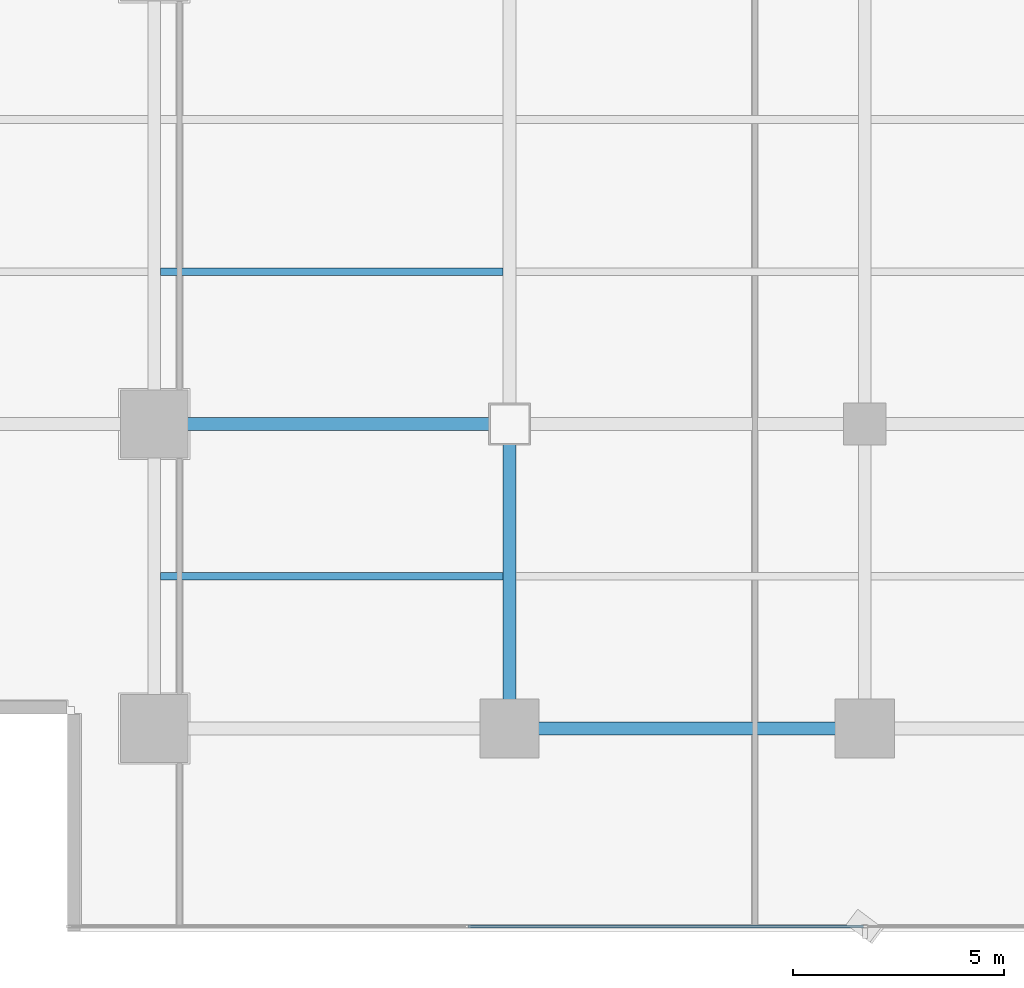
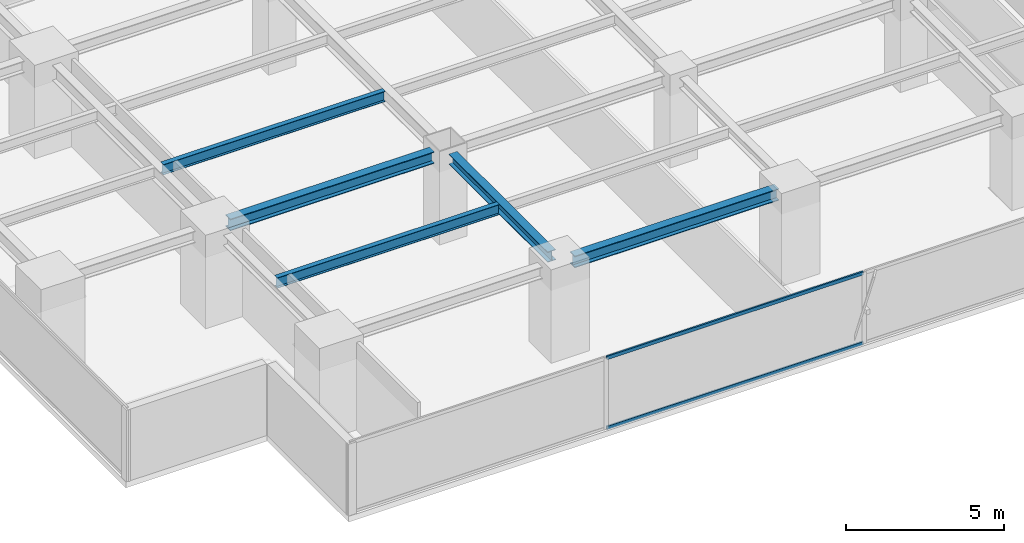
# One storey, part 4 of 27: 5 beams, 2 members, 1 element without a shape of its own.
"""IFC4 building model written with IfcOpenShell, lengths in metres."""

from ifc_helpers import new_model, si_unit, direction, frame, origin, origin_2d, place, context, subcontext, project, spatial, hollow_rectangle, i_section, extrude, source, transform, mapped, material, layer, layer_set, material_profile, profile_set, type_object, element, aggregate, save


model = new_model("IFC4")

# Units and contexts
model_context = context("Model", 3, precision=1e-05, world=origin(), true_north=direction((0.0, 1.0)))
body_context = subcontext(model_context, "Body", "Model", "MODEL_VIEW")
ifc_project = project(units=[si_unit("LENGTHUNIT", "METRE"), si_unit("AREAUNIT", "SQUARE_METRE"), si_unit("VOLUMEUNIT", "CUBIC_METRE"), si_unit("PLANEANGLEUNIT", "RADIAN"), si_unit("MASSUNIT", "GRAM", prefix="KILO")], contexts=[model_context])

# Site, building, storey
site_placement = place(None, origin())
site = spatial("IfcSite", under=ifc_project, at=site_placement, CompositionType="ELEMENT")
building_placement = place(site_placement, origin())
building = spatial("IfcBuilding", under=site, at=building_placement, Name="Sumidabori Civic Tower", CompositionType="ELEMENT")
storey_placement = place(building_placement, frame((0.0, 0.0, 142.39990234375)))
storey = spatial("IfcBuildingStorey", under=building, at=storey_placement, Name="L36", CompositionType="ELEMENT", Elevation=142.39990234375)

# Beams
ifc_material_1 = material(Name="Steel SN490", Category="steel")
ifc_material_profile_1 = material_profile(ifc_material_1, i_section(OverallWidth=0.300048828125, OverallDepth=0.39990234375, WebThickness=0.013427734375, FlangeThickness=0.02392578125, at=origin_2d()), Name="HE 400 B")
ifc_profile_set_1 = profile_set([ifc_material_profile_1], Name="Steel SN490")
beam_type_1 = type_object("IfcBeamType", Name="BM-GIRD-400", PredefinedType="BEAM", material=ifc_profile_set_1)
shared_shape_1 = source(origin(), body_context, "Body", "SweptSolid", [
    extrude(i_section(OverallWidth=0.300048828125, OverallDepth=0.39990234375, WebThickness=0.013427734375, FlangeThickness=0.02392578125, at=origin_2d()), origin(), (0.0, 0.0, 1.0), 6.239990234375),
])
beam_1_placement = place(storey_placement, frame((-8.39990234375, -17.52001953125, 3.18017578125), z_axis=(0.0, 1.0, 0.0), x_axis=(-1.0, 0.0, 0.0)))
element("IfcBeam", 1, at=beam_1_placement, inside=storey, type_object=beam_type_1, Name="Primary Girder L36 GY-26", PredefinedType="BEAM", context=body_context, shape_type="MappedRepresentation", body=[
    mapped(shared_shape_1, transform((0.0, 0.0, 0.0), x_axis=(1.0, 0.0, 0.0), y_axis=(0.0, 1.0, 0.0), z_axis=(0.0, 0.0, 1.0), scale=1.0)),
])
ifc_material_profile_2 = material_profile(ifc_material_1, i_section(OverallWidth=0.179931640625, OverallDepth=0.39990234375, WebThickness=0.008544921875, FlangeThickness=0.013427734375, at=origin_2d()), Name="IPE 400")
ifc_profile_set_2 = profile_set([ifc_material_profile_2], Name="Steel SN490")
beam_type_2 = type_object("IfcBeamType", Name="BM-JST-400", PredefinedType="JOIST", material=ifc_profile_set_2)
shared_shape_2 = source(origin(), body_context, "Body", "SweptSolid", [
    extrude(i_section(OverallWidth=0.179931640625, OverallDepth=0.39990234375, WebThickness=0.008544921875, FlangeThickness=0.013427734375, at=origin_2d()), origin(), (0.0, 0.0, 1.0), 8.099853515625),
])
for number, where, z_axis, x_axis, name in (
    (2, (-16.64990234375, -14.39990234375, 3.18017578125), (1.0, 0.0, 0.0), (0.0, 1.0, 0.0), "South Bay Floor Joist L36 JSTS-49"),
    (3, (-16.64990234375, -7.199951171875, 3.18017578125), (1.0, 0.0, 0.0), (0.0, 1.0, 0.0), "South Bay Floor Joist L36 JSTS-53"),
):
    element("IfcBeam", number, at=place(storey_placement, frame(where, z_axis=z_axis, x_axis=x_axis)), inside=storey, type_object=beam_type_2, Name=name, PredefinedType="JOIST", context=body_context, shape_type="MappedRepresentation", body=[
        mapped(shared_shape_2, transform((0.0, 0.0, 0.0), x_axis=(1.0, 0.0, 0.0), y_axis=(0.0, 1.0, 0.0), z_axis=(0.0, 0.0, 1.0), scale=1.0)),
    ])
ifc_material_profile_3 = material_profile(ifc_material_1, i_section(OverallWidth=0.300048828125, OverallDepth=0.449951171875, WebThickness=0.013916015625, FlangeThickness=0.02587890625, at=origin_2d()), Name="HE 450 B")
ifc_profile_set_3 = profile_set([ifc_material_profile_3], Name="Steel SN490")
beam_type_3 = type_object("IfcBeamType", Name="BM-GIRD-450", PredefinedType="BEAM", material=ifc_profile_set_3)
shared_shape_3 = source(origin(), body_context, "Body", "SweptSolid", [
    extrude(i_section(OverallWidth=0.300048828125, OverallDepth=0.449951171875, WebThickness=0.013916015625, FlangeThickness=0.02587890625, at=origin_2d()), origin(), (0.0, 0.0, 1.0), 7.440185546875),
])
beam_2_placement = place(storey_placement, frame((-16.320068359375, -10.800048828125, 3.155029296875), z_axis=(1.0, 0.0, 0.0), x_axis=(0.0, 1.0, 0.0)))
element("IfcBeam", 4, at=beam_2_placement, inside=storey, type_object=beam_type_3, Name="Primary Girder L36 GX-06", PredefinedType="BEAM", context=body_context, shape_type="MappedRepresentation", body=[
    mapped(shared_shape_3, transform((0.0, 0.0, 0.0), x_axis=(1.0, 0.0, 0.0), y_axis=(0.0, 1.0, 0.0), z_axis=(0.0, 0.0, 1.0), scale=1.0)),
])
shared_shape_4 = source(origin(), body_context, "Body", "SweptSolid", [
    extrude(i_section(OverallWidth=0.300048828125, OverallDepth=0.449951171875, WebThickness=0.013916015625, FlangeThickness=0.02587890625, at=origin_2d()), origin(), (0.0, 0.0, 1.0), 7.43994140625),
])
beam_3_placement = place(storey_placement, frame((-7.919921875, -18.0, 3.155029296875), z_axis=(1.0, 0.0, 0.0), x_axis=(0.0, 1.0, 0.0)))
element("IfcBeam", 5, at=beam_3_placement, inside=storey, type_object=beam_type_3, Name="Primary Girder L36 GX-02", PredefinedType="BEAM", context=body_context, shape_type="MappedRepresentation", body=[
    mapped(shared_shape_4, transform((0.0, 0.0, 0.0), x_axis=(1.0, 0.0, 0.0), y_axis=(0.0, 1.0, 0.0), z_axis=(0.0, 0.0, 1.0), scale=1.0)),
])

# Curtain wall, members
ifc_material_2 = material(Name="Anodised Bronze Aluminium AW-6063-T6", Category="aluminium")
ifc_layer = layer(ifc_material_2, 0.179931640625, Name="Anodised Bronze Aluminium AW-6063-T6")
ifc_layer_set = layer_set([ifc_layer], Name="Anodised Bronze Aluminium AW-6063-T6")
curtain_wall_type = type_object("IfcCurtainWallType", Name="CW-SYS-3", PredefinedType="NOTDEFINED", material=ifc_layer_set)
curtain_wall_placement = place(storey_placement, origin())
curtain_wall = element("IfcCurtainWall", 6, at=curtain_wall_placement, inside=storey, type_object=curtain_wall_type, Name="Curtain Wall CW:L36:R01", PredefinedType="NOTDEFINED")
ifc_material_profile_4 = material_profile(ifc_material_2, hollow_rectangle(XDim=0.06005859375, YDim=0.1298828125, WallThickness=0.0048828125, at=origin_2d()), Name="ALU TRANSOM 130x60")
ifc_profile_set_4 = profile_set([ifc_material_profile_4], Name="Anodised Bronze Aluminium AW-6063-T6")
member_type = type_object("IfcMemberType", Name="CW-TRN-130", PredefinedType="USERDEFINED", material=ifc_profile_set_4)
shared_shape_5 = source(origin(), body_context, "Body", "SweptSolid", [
    extrude(hollow_rectangle(XDim=0.06005859375, YDim=0.1298828125, WallThickness=0.0048828125, at=origin_2d()), origin(), (0.0, 0.0, 1.0), 9.344970703125),
])
member_1_placement = place(storey_placement, frame((-9.37744140625, -22.679931640625, 0.030029296875), z_axis=(1.0, 0.0, 0.0), x_axis=(0.0, 1.0, 0.0)))
member_1 = element("IfcMember", 7, at=member_1_placement, type_object=member_type, Name="CW-3 transom 2.1", ObjectType="TRANSOM", PredefinedType="USERDEFINED", context=body_context, shape_type="MappedRepresentation", body=[
    mapped(shared_shape_5, transform((0.0, 0.0, 0.0), x_axis=(1.0, 0.0, 0.0), y_axis=(0.0, 1.0, 0.0), z_axis=(0.0, 0.0, 1.0), scale=1.0)),
])
member_2_placement = place(storey_placement, frame((-9.37744140625, -22.679931640625, 2.72998046875), z_axis=(1.0, 0.0, 0.0), x_axis=(0.0, 1.0, 0.0)))
member_2 = element("IfcMember", 8, at=member_2_placement, type_object=member_type, Name="CW-3 transom 2.2", ObjectType="TRANSOM", PredefinedType="USERDEFINED", context=body_context, shape_type="MappedRepresentation", body=[
    mapped(shared_shape_5, transform((0.0, 0.0, 0.0), x_axis=(1.0, 0.0, 0.0), y_axis=(0.0, 1.0, 0.0), z_axis=(0.0, 0.0, 1.0), scale=1.0)),
])
aggregate(curtain_wall, [member_1, member_2])

save(model, "model.ifc")
